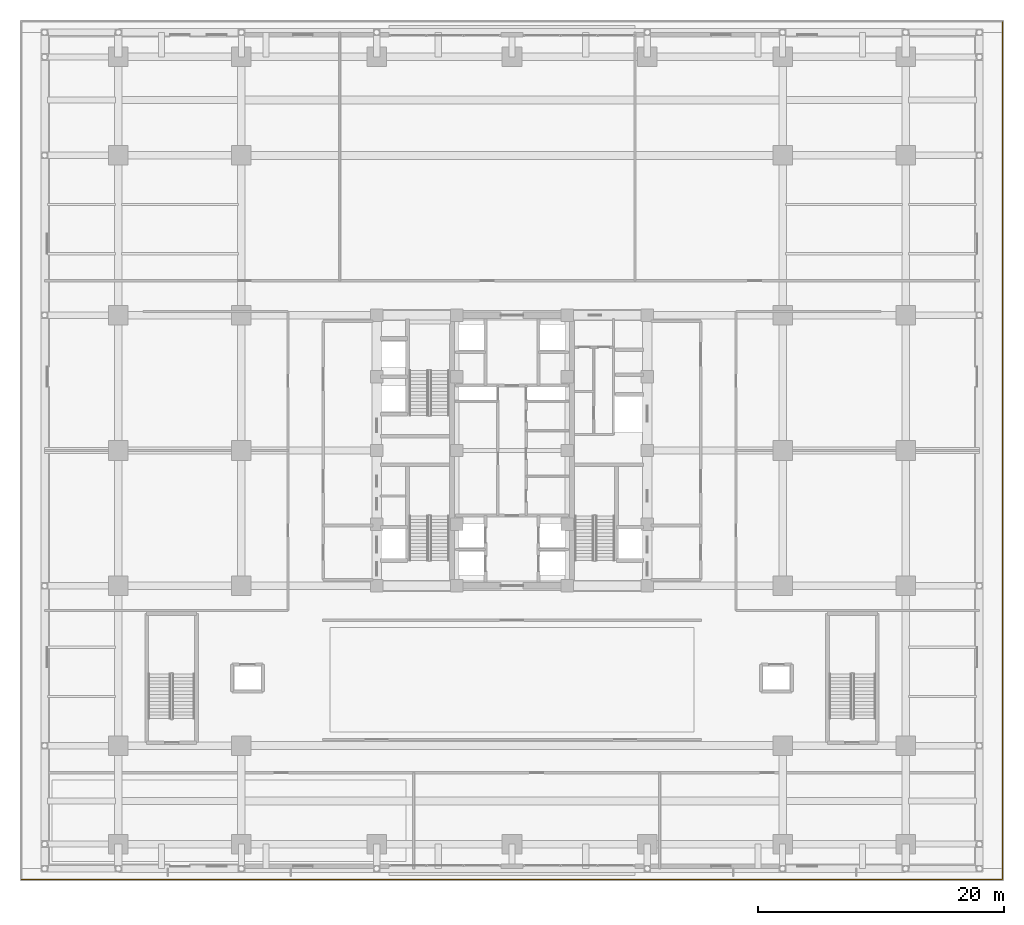
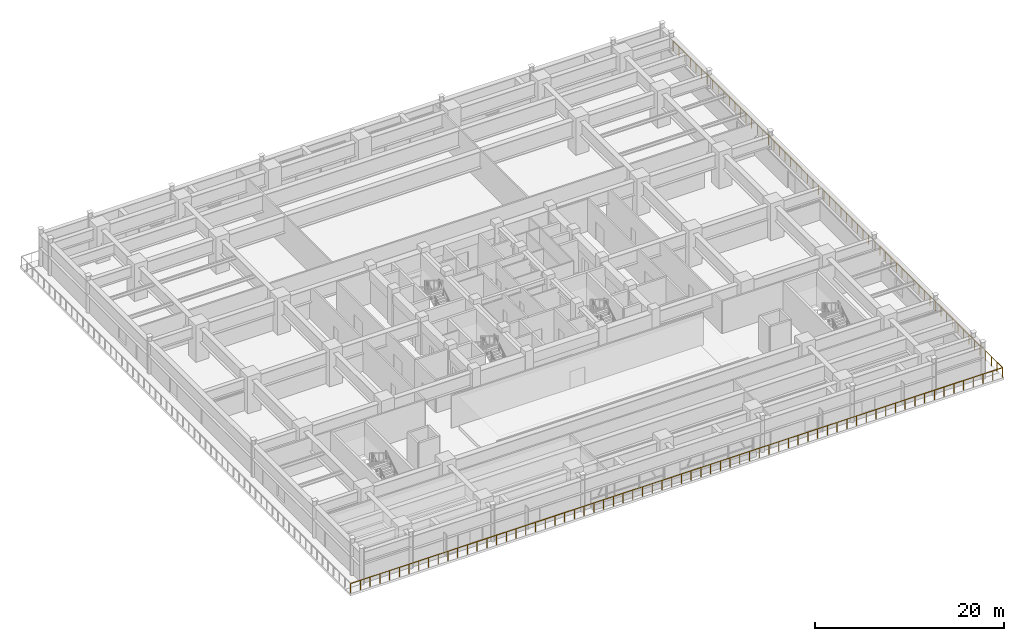
# One storey, part 33 of 35: 1 railing.
"""IFC4 building model written with IfcOpenShell, lengths in metres."""

from ifc_helpers import new_model, si_unit, direction, frame, origin, origin_2d, place, context, subcontext, project, spatial, circle, extrude, source, transform, mapped, material, type_object, element, save


model = new_model("IFC4")

# Units and contexts
model_context = context("Model", 3, precision=1e-05, world=origin(), true_north=direction((0.0, 1.0)))
body_context = subcontext(model_context, "Body", "Model", "MODEL_VIEW")
ifc_project = project(units=[si_unit("LENGTHUNIT", "METRE"), si_unit("AREAUNIT", "SQUARE_METRE"), si_unit("VOLUMEUNIT", "CUBIC_METRE"), si_unit("PLANEANGLEUNIT", "RADIAN"), si_unit("MASSUNIT", "GRAM", prefix="KILO")], contexts=[model_context])

# Site, building, storey
site_placement = place(None, origin())
site = spatial("IfcSite", under=ifc_project, at=site_placement, CompositionType="ELEMENT")
building_placement = place(site_placement, origin())
building = spatial("IfcBuilding", under=site, at=building_placement, Name="Khorayat Bourse Tower", CompositionType="ELEMENT")
storey_placement = place(building_placement, frame((0.0, 0.0, 22.199951171875)))
storey = spatial("IfcBuildingStorey", under=building, at=storey_placement, Name="L04", CompositionType="ELEMENT", Elevation=22.199951171875)

# Railing
ifc_material = material(Name="Laminated glass and bronze balustrade", Category="glass")
railing_type = type_object("IfcRailingType", Name="RLG-TERR-1250", PredefinedType="GUARDRAIL", material=ifc_material)
shared_shape = source(origin(), body_context, "Body", "SweptSolid", [
    extrude(circle(Radius=0.02392578125, at=origin_2d()), frame((0.0, 0.0, 1.22607421875), z_axis=(1.0, 0.0, 0.0), x_axis=(0.0, 1.0, 0.0)), (0.0, 0.0, 1.0), 79.759765625),
    extrude(circle(Radius=0.02392578125, at=origin_2d()), frame((79.759765625, 0.0, 1.22607421875), z_axis=(0.0, 1.0, 0.0), x_axis=(-1.0, 0.0, 0.0)), (0.0, 0.0, 1.0), 69.699951171875),
    extrude(circle(Radius=0.02099609375, at=origin_2d()), origin(), (0.0, 0.0, 1.0), 1.201904296875),
    extrude(circle(Radius=0.02099609375, at=origin_2d()), frame((1.1904296875, 0.0, 0.0)), (0.0, 0.0, 1.0), 1.201904296875),
    extrude(circle(Radius=0.02099609375, at=origin_2d()), frame((2.380859375, 0.0, 0.0)), (0.0, 0.0, 1.0), 1.201904296875),
    extrude(circle(Radius=0.02099609375, at=origin_2d()), frame((3.5712890625, 0.0, 0.0)), (0.0, 0.0, 1.0), 1.201904296875),
    extrude(circle(Radius=0.02099609375, at=origin_2d()), frame((4.76171875, 0.0, 0.0)), (0.0, 0.0, 1.0), 1.201904296875),
    extrude(circle(Radius=0.02099609375, at=origin_2d()), frame((5.9521484375, 0.0, 0.0)), (0.0, 0.0, 1.0), 1.201904296875),
    extrude(circle(Radius=0.02099609375, at=origin_2d()), frame((7.142578125, 0.0, 0.0)), (0.0, 0.0, 1.0), 1.201904296875),
    extrude(circle(Radius=0.02099609375, at=origin_2d()), frame((8.3330078125, 0.0, 0.0)), (0.0, 0.0, 1.0), 1.201904296875),
    extrude(circle(Radius=0.02099609375, at=origin_2d()), frame((9.5234375, 0.0, 0.0)), (0.0, 0.0, 1.0), 1.201904296875),
    extrude(circle(Radius=0.02099609375, at=origin_2d()), frame((10.714111328125, 0.0, 0.0)), (0.0, 0.0, 1.0), 1.201904296875),
    extrude(circle(Radius=0.02099609375, at=origin_2d()), frame((11.904541015625, 0.0, 0.0)), (0.0, 0.0, 1.0), 1.201904296875),
    extrude(circle(Radius=0.02099609375, at=origin_2d()), frame((13.094970703125, 0.0, 0.0)), (0.0, 0.0, 1.0), 1.201904296875),
    extrude(circle(Radius=0.02099609375, at=origin_2d()), frame((14.285400390625, 0.0, 0.0)), (0.0, 0.0, 1.0), 1.201904296875),
    extrude(circle(Radius=0.02099609375, at=origin_2d()), frame((15.475830078125, 0.0, 0.0)), (0.0, 0.0, 1.0), 1.201904296875),
    extrude(circle(Radius=0.02099609375, at=origin_2d()), frame((16.666259765625, 0.0, 0.0)), (0.0, 0.0, 1.0), 1.201904296875),
    extrude(circle(Radius=0.02099609375, at=origin_2d()), frame((17.856689453125, 0.0, 0.0)), (0.0, 0.0, 1.0), 1.201904296875),
    extrude(circle(Radius=0.02099609375, at=origin_2d()), frame((19.047119140625, 0.0, 0.0)), (0.0, 0.0, 1.0), 1.201904296875),
    extrude(circle(Radius=0.02099609375, at=origin_2d()), frame((20.237548828125, 0.0, 0.0)), (0.0, 0.0, 1.0), 1.201904296875),
    extrude(circle(Radius=0.02099609375, at=origin_2d()), frame((21.427978515625, 0.0, 0.0)), (0.0, 0.0, 1.0), 1.201904296875),
    extrude(circle(Radius=0.02099609375, at=origin_2d()), frame((22.618408203125, 0.0, 0.0)), (0.0, 0.0, 1.0), 1.201904296875),
    extrude(circle(Radius=0.02099609375, at=origin_2d()), frame((23.808837890625, 0.0, 0.0)), (0.0, 0.0, 1.0), 1.201904296875),
    extrude(circle(Radius=0.02099609375, at=origin_2d()), frame((24.999267578125, 0.0, 0.0)), (0.0, 0.0, 1.0), 1.201904296875),
    extrude(circle(Radius=0.02099609375, at=origin_2d()), frame((26.189697265625, 0.0, 0.0)), (0.0, 0.0, 1.0), 1.201904296875),
    extrude(circle(Radius=0.02099609375, at=origin_2d()), frame((27.380126953125, 0.0, 0.0)), (0.0, 0.0, 1.0), 1.201904296875),
    extrude(circle(Radius=0.02099609375, at=origin_2d()), frame((28.570556640625, 0.0, 0.0)), (0.0, 0.0, 1.0), 1.201904296875),
    extrude(circle(Radius=0.02099609375, at=origin_2d()), frame((29.760986328125, 0.0, 0.0)), (0.0, 0.0, 1.0), 1.201904296875),
    extrude(circle(Radius=0.02099609375, at=origin_2d()), frame((30.95166015625, 0.0, 0.0)), (0.0, 0.0, 1.0), 1.201904296875),
    extrude(circle(Radius=0.02099609375, at=origin_2d()), frame((32.14208984375, 0.0, 0.0)), (0.0, 0.0, 1.0), 1.201904296875),
    extrude(circle(Radius=0.02099609375, at=origin_2d()), frame((33.33251953125, 0.0, 0.0)), (0.0, 0.0, 1.0), 1.201904296875),
    extrude(circle(Radius=0.02099609375, at=origin_2d()), frame((34.52294921875, 0.0, 0.0)), (0.0, 0.0, 1.0), 1.201904296875),
    extrude(circle(Radius=0.02099609375, at=origin_2d()), frame((35.71337890625, 0.0, 0.0)), (0.0, 0.0, 1.0), 1.201904296875),
    extrude(circle(Radius=0.02099609375, at=origin_2d()), frame((36.90380859375, 0.0, 0.0)), (0.0, 0.0, 1.0), 1.201904296875),
    extrude(circle(Radius=0.02099609375, at=origin_2d()), frame((38.09423828125, 0.0, 0.0)), (0.0, 0.0, 1.0), 1.201904296875),
    extrude(circle(Radius=0.02099609375, at=origin_2d()), frame((39.28466796875, 0.0, 0.0)), (0.0, 0.0, 1.0), 1.201904296875),
    extrude(circle(Radius=0.02099609375, at=origin_2d()), frame((40.47509765625, 0.0, 0.0)), (0.0, 0.0, 1.0), 1.201904296875),
    extrude(circle(Radius=0.02099609375, at=origin_2d()), frame((41.66552734375, 0.0, 0.0)), (0.0, 0.0, 1.0), 1.201904296875),
    extrude(circle(Radius=0.02099609375, at=origin_2d()), frame((42.85595703125, 0.0, 0.0)), (0.0, 0.0, 1.0), 1.201904296875),
    extrude(circle(Radius=0.02099609375, at=origin_2d()), frame((44.04638671875, 0.0, 0.0)), (0.0, 0.0, 1.0), 1.201904296875),
    extrude(circle(Radius=0.02099609375, at=origin_2d()), frame((45.23681640625, 0.0, 0.0)), (0.0, 0.0, 1.0), 1.201904296875),
    extrude(circle(Radius=0.02099609375, at=origin_2d()), frame((46.42724609375, 0.0, 0.0)), (0.0, 0.0, 1.0), 1.201904296875),
    extrude(circle(Radius=0.02099609375, at=origin_2d()), frame((47.61767578125, 0.0, 0.0)), (0.0, 0.0, 1.0), 1.201904296875),
    extrude(circle(Radius=0.02099609375, at=origin_2d()), frame((48.80810546875, 0.0, 0.0)), (0.0, 0.0, 1.0), 1.201904296875),
    extrude(circle(Radius=0.02099609375, at=origin_2d()), frame((49.998779296875, 0.0, 0.0)), (0.0, 0.0, 1.0), 1.201904296875),
    extrude(circle(Radius=0.02099609375, at=origin_2d()), frame((51.189208984375, 0.0, 0.0)), (0.0, 0.0, 1.0), 1.201904296875),
    extrude(circle(Radius=0.02099609375, at=origin_2d()), frame((52.379638671875, 0.0, 0.0)), (0.0, 0.0, 1.0), 1.201904296875),
    extrude(circle(Radius=0.02099609375, at=origin_2d()), frame((53.570068359375, 0.0, 0.0)), (0.0, 0.0, 1.0), 1.201904296875),
    extrude(circle(Radius=0.02099609375, at=origin_2d()), frame((54.760498046875, 0.0, 0.0)), (0.0, 0.0, 1.0), 1.201904296875),
    extrude(circle(Radius=0.02099609375, at=origin_2d()), frame((55.950927734375, 0.0, 0.0)), (0.0, 0.0, 1.0), 1.201904296875),
    extrude(circle(Radius=0.02099609375, at=origin_2d()), frame((57.141357421875, 0.0, 0.0)), (0.0, 0.0, 1.0), 1.201904296875),
    extrude(circle(Radius=0.02099609375, at=origin_2d()), frame((58.331787109375, 0.0, 0.0)), (0.0, 0.0, 1.0), 1.201904296875),
    extrude(circle(Radius=0.02099609375, at=origin_2d()), frame((59.522216796875, 0.0, 0.0)), (0.0, 0.0, 1.0), 1.201904296875),
    extrude(circle(Radius=0.02099609375, at=origin_2d()), frame((60.712646484375, 0.0, 0.0)), (0.0, 0.0, 1.0), 1.201904296875),
    extrude(circle(Radius=0.02099609375, at=origin_2d()), frame((61.903076171875, 0.0, 0.0)), (0.0, 0.0, 1.0), 1.201904296875),
    extrude(circle(Radius=0.02099609375, at=origin_2d()), frame((63.093505859375, 0.0, 0.0)), (0.0, 0.0, 1.0), 1.201904296875),
    extrude(circle(Radius=0.02099609375, at=origin_2d()), frame((64.283935546875, 0.0, 0.0)), (0.0, 0.0, 1.0), 1.201904296875),
    extrude(circle(Radius=0.02099609375, at=origin_2d()), frame((65.474365234375, 0.0, 0.0)), (0.0, 0.0, 1.0), 1.201904296875),
    extrude(circle(Radius=0.02099609375, at=origin_2d()), frame((66.664794921875, 0.0, 0.0)), (0.0, 0.0, 1.0), 1.201904296875),
    extrude(circle(Radius=0.02099609375, at=origin_2d()), frame((67.855224609375, 0.0, 0.0)), (0.0, 0.0, 1.0), 1.201904296875),
    extrude(circle(Radius=0.02099609375, at=origin_2d()), frame((69.045654296875, 0.0, 0.0)), (0.0, 0.0, 1.0), 1.201904296875),
    extrude(circle(Radius=0.02099609375, at=origin_2d()), frame((70.236328125, 0.0, 0.0)), (0.0, 0.0, 1.0), 1.201904296875),
    extrude(circle(Radius=0.02099609375, at=origin_2d()), frame((71.4267578125, 0.0, 0.0)), (0.0, 0.0, 1.0), 1.201904296875),
    extrude(circle(Radius=0.02099609375, at=origin_2d()), frame((72.6171875, 0.0, 0.0)), (0.0, 0.0, 1.0), 1.201904296875),
    extrude(circle(Radius=0.02099609375, at=origin_2d()), frame((73.8076171875, 0.0, 0.0)), (0.0, 0.0, 1.0), 1.201904296875),
    extrude(circle(Radius=0.02099609375, at=origin_2d()), frame((74.998046875, 0.0, 0.0)), (0.0, 0.0, 1.0), 1.201904296875),
    extrude(circle(Radius=0.02099609375, at=origin_2d()), frame((76.1884765625, 0.0, 0.0)), (0.0, 0.0, 1.0), 1.201904296875),
    extrude(circle(Radius=0.02099609375, at=origin_2d()), frame((77.37890625, 0.0, 0.0)), (0.0, 0.0, 1.0), 1.201904296875),
    extrude(circle(Radius=0.02099609375, at=origin_2d()), frame((78.5693359375, 0.0, 0.0)), (0.0, 0.0, 1.0), 1.201904296875),
    extrude(circle(Radius=0.02099609375, at=origin_2d()), frame((79.759765625, 0.0, 0.0)), (0.0, 0.0, 1.0), 1.201904296875),
    extrude(circle(Radius=0.02099609375, at=origin_2d()), frame((79.759765625, 1.181396484375, 0.0)), (0.0, 0.0, 1.0), 1.201904296875),
    extrude(circle(Radius=0.02099609375, at=origin_2d()), frame((79.759765625, 2.36279296875, 0.0)), (0.0, 0.0, 1.0), 1.201904296875),
    extrude(circle(Radius=0.02099609375, at=origin_2d()), frame((79.759765625, 3.5439453125, 0.0)), (0.0, 0.0, 1.0), 1.201904296875),
    extrude(circle(Radius=0.02099609375, at=origin_2d()), frame((79.759765625, 4.725341796875, 0.0)), (0.0, 0.0, 1.0), 1.201904296875),
    extrude(circle(Radius=0.02099609375, at=origin_2d()), frame((79.759765625, 5.90673828125, 0.0)), (0.0, 0.0, 1.0), 1.201904296875),
    extrude(circle(Radius=0.02099609375, at=origin_2d()), frame((79.759765625, 7.088134765625, 0.0)), (0.0, 0.0, 1.0), 1.201904296875),
    extrude(circle(Radius=0.02099609375, at=origin_2d()), frame((79.759765625, 8.26953125, 0.0)), (0.0, 0.0, 1.0), 1.201904296875),
    extrude(circle(Radius=0.02099609375, at=origin_2d()), frame((79.759765625, 9.450927734375, 0.0)), (0.0, 0.0, 1.0), 1.201904296875),
    extrude(circle(Radius=0.02099609375, at=origin_2d()), frame((79.759765625, 10.632080078125, 0.0)), (0.0, 0.0, 1.0), 1.201904296875),
    extrude(circle(Radius=0.02099609375, at=origin_2d()), frame((79.759765625, 11.8134765625, 0.0)), (0.0, 0.0, 1.0), 1.201904296875),
    extrude(circle(Radius=0.02099609375, at=origin_2d()), frame((79.759765625, 12.994873046875, 0.0)), (0.0, 0.0, 1.0), 1.201904296875),
    extrude(circle(Radius=0.02099609375, at=origin_2d()), frame((79.759765625, 14.17626953125, 0.0)), (0.0, 0.0, 1.0), 1.201904296875),
    extrude(circle(Radius=0.02099609375, at=origin_2d()), frame((79.759765625, 15.357666015625, 0.0)), (0.0, 0.0, 1.0), 1.201904296875),
    extrude(circle(Radius=0.02099609375, at=origin_2d()), frame((79.759765625, 16.5390625, 0.0)), (0.0, 0.0, 1.0), 1.201904296875),
    extrude(circle(Radius=0.02099609375, at=origin_2d()), frame((79.759765625, 17.72021484375, 0.0)), (0.0, 0.0, 1.0), 1.201904296875),
    extrude(circle(Radius=0.02099609375, at=origin_2d()), frame((79.759765625, 18.901611328125, 0.0)), (0.0, 0.0, 1.0), 1.201904296875),
    extrude(circle(Radius=0.02099609375, at=origin_2d()), frame((79.759765625, 20.0830078125, 0.0)), (0.0, 0.0, 1.0), 1.201904296875),
    extrude(circle(Radius=0.02099609375, at=origin_2d()), frame((79.759765625, 21.264404296875, 0.0)), (0.0, 0.0, 1.0), 1.201904296875),
    extrude(circle(Radius=0.02099609375, at=origin_2d()), frame((79.759765625, 22.44580078125, 0.0)), (0.0, 0.0, 1.0), 1.201904296875),
    extrude(circle(Radius=0.02099609375, at=origin_2d()), frame((79.759765625, 23.627197265625, 0.0)), (0.0, 0.0, 1.0), 1.201904296875),
    extrude(circle(Radius=0.02099609375, at=origin_2d()), frame((79.759765625, 24.808349609375, 0.0)), (0.0, 0.0, 1.0), 1.201904296875),
    extrude(circle(Radius=0.02099609375, at=origin_2d()), frame((79.759765625, 25.98974609375, 0.0)), (0.0, 0.0, 1.0), 1.201904296875),
    extrude(circle(Radius=0.02099609375, at=origin_2d()), frame((79.759765625, 27.171142578125, 0.0)), (0.0, 0.0, 1.0), 1.201904296875),
    extrude(circle(Radius=0.02099609375, at=origin_2d()), frame((79.759765625, 28.3525390625, 0.0)), (0.0, 0.0, 1.0), 1.201904296875),
    extrude(circle(Radius=0.02099609375, at=origin_2d()), frame((79.759765625, 29.533935546875, 0.0)), (0.0, 0.0, 1.0), 1.201904296875),
    extrude(circle(Radius=0.02099609375, at=origin_2d()), frame((79.759765625, 30.71533203125, 0.0)), (0.0, 0.0, 1.0), 1.201904296875),
    extrude(circle(Radius=0.02099609375, at=origin_2d()), frame((79.759765625, 31.896484375, 0.0)), (0.0, 0.0, 1.0), 1.201904296875),
    extrude(circle(Radius=0.02099609375, at=origin_2d()), frame((79.759765625, 33.077880859375, 0.0)), (0.0, 0.0, 1.0), 1.201904296875),
    extrude(circle(Radius=0.02099609375, at=origin_2d()), frame((79.759765625, 34.25927734375, 0.0)), (0.0, 0.0, 1.0), 1.201904296875),
    extrude(circle(Radius=0.02099609375, at=origin_2d()), frame((79.759765625, 35.440673828125, 0.0)), (0.0, 0.0, 1.0), 1.201904296875),
    extrude(circle(Radius=0.02099609375, at=origin_2d()), frame((79.759765625, 36.6220703125, 0.0)), (0.0, 0.0, 1.0), 1.201904296875),
    extrude(circle(Radius=0.02099609375, at=origin_2d()), frame((79.759765625, 37.803466796875, 0.0)), (0.0, 0.0, 1.0), 1.201904296875),
    extrude(circle(Radius=0.02099609375, at=origin_2d()), frame((79.759765625, 38.984619140625, 0.0)), (0.0, 0.0, 1.0), 1.201904296875),
    extrude(circle(Radius=0.02099609375, at=origin_2d()), frame((79.759765625, 40.166015625, 0.0)), (0.0, 0.0, 1.0), 1.201904296875),
    extrude(circle(Radius=0.02099609375, at=origin_2d()), frame((79.759765625, 41.347412109375, 0.0)), (0.0, 0.0, 1.0), 1.201904296875),
    extrude(circle(Radius=0.02099609375, at=origin_2d()), frame((79.759765625, 42.52880859375, 0.0)), (0.0, 0.0, 1.0), 1.201904296875),
    extrude(circle(Radius=0.02099609375, at=origin_2d()), frame((79.759765625, 43.710205078125, 0.0)), (0.0, 0.0, 1.0), 1.201904296875),
    extrude(circle(Radius=0.02099609375, at=origin_2d()), frame((79.759765625, 44.8916015625, 0.0)), (0.0, 0.0, 1.0), 1.201904296875),
    extrude(circle(Radius=0.02099609375, at=origin_2d()), frame((79.759765625, 46.07275390625, 0.0)), (0.0, 0.0, 1.0), 1.201904296875),
    extrude(circle(Radius=0.02099609375, at=origin_2d()), frame((79.759765625, 47.254150390625, 0.0)), (0.0, 0.0, 1.0), 1.201904296875),
    extrude(circle(Radius=0.02099609375, at=origin_2d()), frame((79.759765625, 48.435546875, 0.0)), (0.0, 0.0, 1.0), 1.201904296875),
    extrude(circle(Radius=0.02099609375, at=origin_2d()), frame((79.759765625, 49.616943359375, 0.0)), (0.0, 0.0, 1.0), 1.201904296875),
    extrude(circle(Radius=0.02099609375, at=origin_2d()), frame((79.759765625, 50.79833984375, 0.0)), (0.0, 0.0, 1.0), 1.201904296875),
    extrude(circle(Radius=0.02099609375, at=origin_2d()), frame((79.759765625, 51.979736328125, 0.0)), (0.0, 0.0, 1.0), 1.201904296875),
    extrude(circle(Radius=0.02099609375, at=origin_2d()), frame((79.759765625, 53.160888671875, 0.0)), (0.0, 0.0, 1.0), 1.201904296875),
    extrude(circle(Radius=0.02099609375, at=origin_2d()), frame((79.759765625, 54.34228515625, 0.0)), (0.0, 0.0, 1.0), 1.201904296875),
    extrude(circle(Radius=0.02099609375, at=origin_2d()), frame((79.759765625, 55.523681640625, 0.0)), (0.0, 0.0, 1.0), 1.201904296875),
    extrude(circle(Radius=0.02099609375, at=origin_2d()), frame((79.759765625, 56.705078125, 0.0)), (0.0, 0.0, 1.0), 1.201904296875),
    extrude(circle(Radius=0.02099609375, at=origin_2d()), frame((79.759765625, 57.886474609375, 0.0)), (0.0, 0.0, 1.0), 1.201904296875),
    extrude(circle(Radius=0.02099609375, at=origin_2d()), frame((79.759765625, 59.06787109375, 0.0)), (0.0, 0.0, 1.0), 1.201904296875),
    extrude(circle(Radius=0.02099609375, at=origin_2d()), frame((79.759765625, 60.2490234375, 0.0)), (0.0, 0.0, 1.0), 1.201904296875),
    extrude(circle(Radius=0.02099609375, at=origin_2d()), frame((79.759765625, 61.430419921875, 0.0)), (0.0, 0.0, 1.0), 1.201904296875),
    extrude(circle(Radius=0.02099609375, at=origin_2d()), frame((79.759765625, 62.61181640625, 0.0)), (0.0, 0.0, 1.0), 1.201904296875),
    extrude(circle(Radius=0.02099609375, at=origin_2d()), frame((79.759765625, 63.793212890625, 0.0)), (0.0, 0.0, 1.0), 1.201904296875),
    extrude(circle(Radius=0.02099609375, at=origin_2d()), frame((79.759765625, 64.974609375, 0.0)), (0.0, 0.0, 1.0), 1.201904296875),
    extrude(circle(Radius=0.02099609375, at=origin_2d()), frame((79.759765625, 66.156005859375, 0.0)), (0.0, 0.0, 1.0), 1.201904296875),
    extrude(circle(Radius=0.02099609375, at=origin_2d()), frame((79.759765625, 67.337158203125, 0.0)), (0.0, 0.0, 1.0), 1.201904296875),
    extrude(circle(Radius=0.02099609375, at=origin_2d()), frame((79.759765625, 68.5185546875, 0.0)), (0.0, 0.0, 1.0), 1.201904296875),
    extrude(circle(Radius=0.02099609375, at=origin_2d()), frame((79.759765625, 69.699951171875, 0.0)), (0.0, 0.0, 1.0), 1.201904296875),
])
railing_placement = place(storey_placement, frame((-39.8798828125, -34.8798828125, 0.0)))
element("IfcRailing", 1, at=railing_placement, inside=storey, type_object=railing_type, Name="L04 Cascading Terrace Perimeter Guard SE", PredefinedType="GUARDRAIL", context=body_context, shape_type="MappedRepresentation", body=[
    mapped(shared_shape, transform((0.0, 0.0, 0.0), scale=1.0)),
])

save(model, "model.ifc")
